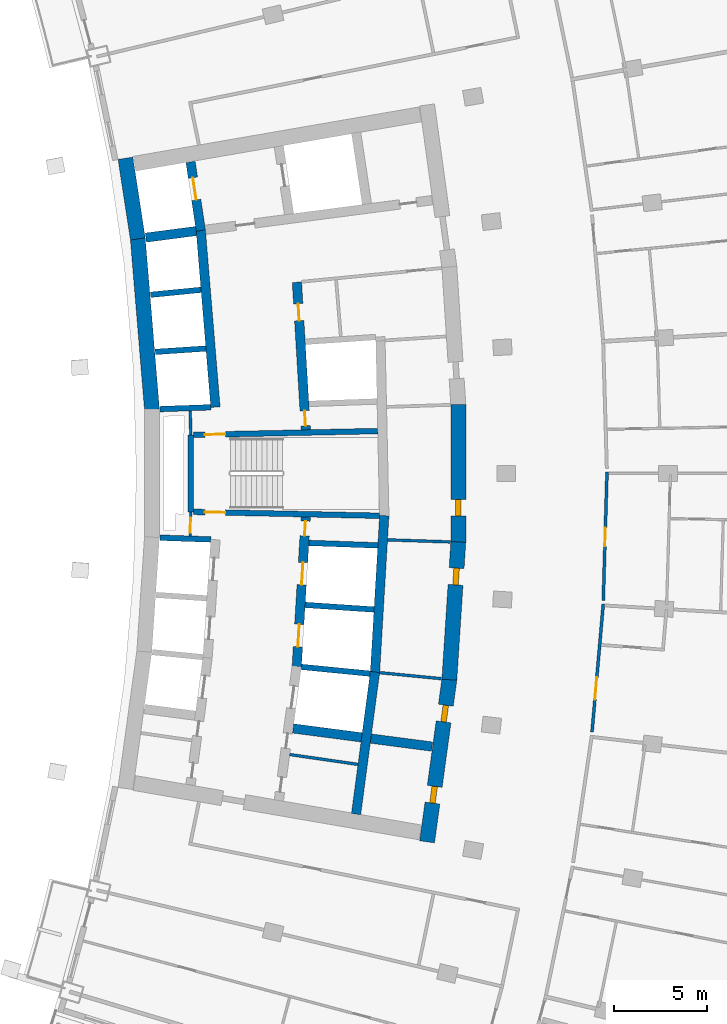
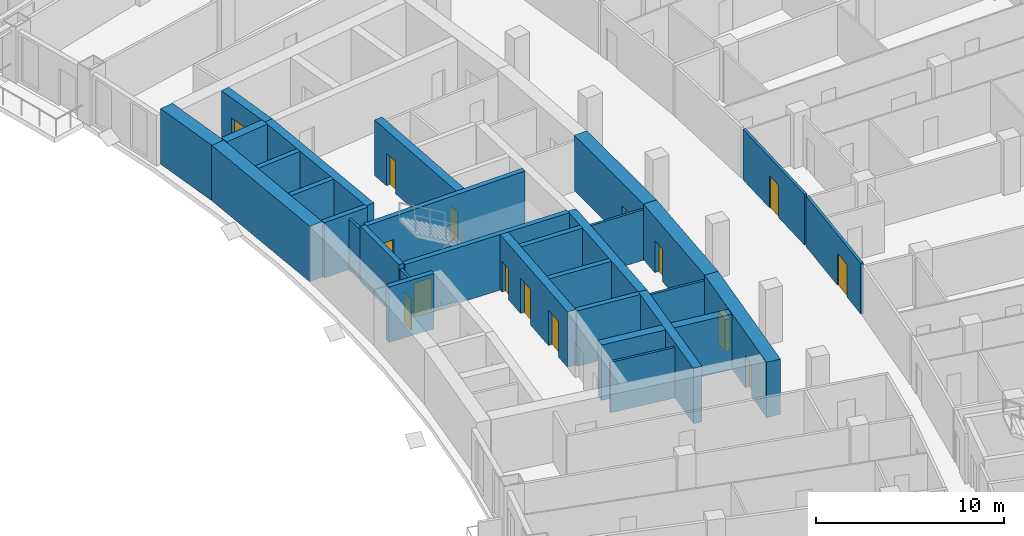
# One storey, part 16 of 25: 31 walls, 15 doors, 15 openings.
"""IFC4 building model written with IfcOpenShell, lengths in metres."""

from ifc_helpers import new_model, si_unit, direction, frame, frame_2d, origin, place, context, subcontext, project, spatial, rectangle, extrude, material, layer, layer_set, type_object, element, fill, save


model = new_model("IFC4")

# Units and contexts
model_context = context("Model", 3, precision=1e-05, world=origin(), true_north=direction((0.0, 1.0)))
body_context = subcontext(model_context, "Body", "Model", "MODEL_VIEW")
ifc_project = project(units=[si_unit("LENGTHUNIT", "METRE"), si_unit("AREAUNIT", "SQUARE_METRE"), si_unit("VOLUMEUNIT", "CUBIC_METRE"), si_unit("PLANEANGLEUNIT", "RADIAN"), si_unit("MASSUNIT", "GRAM", prefix="KILO")], contexts=[model_context])

# Site, building, storey
site_placement = place(None, origin())
site = spatial("IfcSite", under=ifc_project, at=site_placement, CompositionType="ELEMENT")
building_placement = place(site_placement, origin())
building = spatial("IfcBuilding", under=site, at=building_placement, Name="Alderwake Tower", CompositionType="ELEMENT")
storey_placement = place(building_placement, frame((0.0, 0.0, 89.60009765625)))
storey = spatial("IfcBuildingStorey", under=building, at=storey_placement, Name="L21", CompositionType="ELEMENT", Elevation=89.60009765625)

# Wall, opening, door
ifc_material_1 = material(Name="Gypsum shaft wall system, rated")
ifc_layer_1 = layer(ifc_material_1, 0.14990234375)
ifc_layer_set_1 = layer_set([ifc_layer_1], Name="Core room partition 150")
wall_type_1 = type_object("IfcWallType", Name="Core room partition 150", PredefinedType="PARTITIONING", material=ifc_layer_set_1)
wall_1_placement = place(storey_placement, frame((18.918701171875, 58.94384765625, 0.0), z_axis=(0.0, 0.0, 1.0), x_axis=(-0.027348257573, -0.999625966453, 0.0)))
wall_1 = element("IfcWall", 1, at=wall_1_placement, inside=storey, type_object=wall_type_1, Name="CW/L21/PA+24_-37", PredefinedType="PARTITIONING", context=body_context, shape_type="SweptSolid", body=[
    extrude(rectangle(XDim=1.29443359375, YDim=0.14990234375, at=frame_2d((0.647216796875, 0.0))), origin(), (0.0, 0.0, 1.0), 3.27978515625),
])
opening_1_placement = place(wall_1_placement, frame((0.322998046875, 0.0, 0.0)))
opening_1 = element("IfcOpeningElement", 2, at=opening_1_placement, cuts=wall_1, Name="Opening C004", PredefinedType="OPENING", context=body_context, shape_type="SweptSolid", body=[
    extrude(rectangle(XDim=0.800048828125, YDim=2.0, at=frame_2d((0.39990234375, 1.0))), frame((0.0, 0.0849609375, 0.0), z_axis=(0.0, -1.0, 0.0), x_axis=(1.0, 0.0, 0.0)), (0.0, 0.0, 1.0), 0.169921875),
])
ifc_material_2 = material(Name="Painted steel leaf, rated", Category="steel")
door_type_1 = type_object("IfcDoorType", Name="Riser access door 800", OperationType="SINGLE_SWING_LEFT", PredefinedType="DOOR", material=ifc_material_2)
door_1_placement = place(opening_1_placement, origin())
door_1 = element("IfcDoor", 3, at=door_1_placement, inside=storey, type_object=door_type_1, Name="Riser access door", OperationType="SINGLE_SWING_RIGHT", OverallHeight=2.0, OverallWidth=0.800048828125, PredefinedType="DOOR", context=body_context, shape_type="SweptSolid", body=[
    extrude(rectangle(XDim=0.800048828125, YDim=2.0, at=frame_2d((0.39990234375, 1.0))), frame((0.0, 0.02490234375, 0.0), z_axis=(0.0, -1.0, 0.0), x_axis=(1.0, 0.0, 0.0)), (0.0, 0.0, 1.0), 0.050048828125),
])
fill(opening_1, door_1)

# Walls
wall_2_placement = place(storey_placement, frame((18.918701171875, 63.05517578125, 0.0), z_axis=(0.0, 0.0, 1.0), x_axis=(-0.027327648352, 0.999626530078, 0.0)))
element("IfcWall", 4, at=wall_2_placement, inside=storey, type_object=wall_type_1, Name="CW/L21/PA+24_+22", PredefinedType="PARTITIONING", context=body_context, shape_type="SweptSolid", body=[
    extrude(rectangle(XDim=1.29541015625, YDim=0.14990234375, at=frame_2d((0.647705078125, 0.0))), origin(), (0.0, 0.0, 1.0), 3.27978515625),
])
wall_3_placement = place(storey_placement, frame((24.212158203125, 45.9482421875, 0.0), z_axis=(0.0, 0.0, 1.0), x_axis=(0.989728979978, -0.142956448583, 0.0)))
element("IfcWall", 5, at=wall_3_placement, inside=storey, type_object=wall_type_1, Name="CW/L21/PR-150_+86", PredefinedType="PARTITIONING", context=body_context, shape_type="SweptSolid", body=[
    extrude(rectangle(XDim=3.695556640625, YDim=0.14990234375, at=frame_2d((1.84765625, 0.0))), origin(), (0.0, 0.0, 1.0), 3.27978515625),
])
wall_4_placement = place(storey_placement, frame((29.029296875, 50.331298828125, 0.0), z_axis=(0.0, 0.0, 1.0), x_axis=(0.995248248589, -0.097370034814, 0.0)))
element("IfcWall", 6, at=wall_4_placement, inside=storey, type_object=wall_type_1, Name="CW/L21/PR-102_+128", PredefinedType="PARTITIONING", context=body_context, shape_type="SweptSolid", body=[
    extrude(rectangle(XDim=3.31982421875, YDim=0.14990234375, at=frame_2d((1.659912109375, 0.0))), origin(), (0.0, 0.0, 1.0), 3.27978515625),
])
wall_5_placement = place(storey_placement, frame((29.45068359375, 57.440185546875, 0.0), z_axis=(0.0, 0.0, 1.0), x_axis=(0.999470404779, -0.0325408969, 0.0)))
element("IfcWall", 7, at=wall_5_placement, inside=storey, type_object=wall_type_1, Name="CW/L21/PR-34_+128", PredefinedType="PARTITIONING", context=body_context, shape_type="SweptSolid", body=[
    extrude(rectangle(XDim=3.361083984375, YDim=0.14990234375, at=frame_2d((1.6806640625, 0.0))), origin(), (0.0, 0.0, 1.0), 3.27978515625),
])
ifc_material_3 = material(Name="Concrete C70/85", Category="concrete")
ifc_layer_2 = layer(ifc_material_3, 0.800048828125)
ifc_layer_set_2 = layer_set([ifc_layer_2], Name="Core wall outer 800 C70-85")
wall_type_2 = type_object("IfcWallType", Name="Core wall outer 800 C70-85", PredefinedType="SHEAR", material=ifc_layer_set_2)
wall_6_placement = place(storey_placement, frame((16.8408203125, 64.410888671875, 0.0), z_axis=(0.0, 0.0, 1.0), x_axis=(-0.082619502339, 0.996581164699, 0.0)))
element("IfcWall", 8, at=wall_6_placement, inside=storey, type_object=wall_type_2, Name="Core wall CW.040", PredefinedType="SHEAR", context=body_context, shape_type="SweptSolid", body=[
    extrude(rectangle(XDim=9.201904296875, YDim=0.800048828125, at=frame_2d((4.60107421875, 0.0))), origin(), (0.0, 0.0, 1.0), 3.599853515625),
])
wall_7_placement = place(storey_placement, frame((16.083984375, 73.552490234375, 0.0), z_axis=(0.0, 0.0, 1.0), x_axis=(-0.151981606421, 0.988383322052, 0.0)))
element("IfcWall", 9, at=wall_7_placement, inside=storey, type_object=wall_type_2, Name="Core wall CW.039", PredefinedType="SHEAR", context=body_context, shape_type="SweptSolid", body=[
    extrude(rectangle(XDim=4.369384765625, YDim=0.800048828125, at=frame_2d((2.1845703125, 0.0))), origin(), (0.0, 0.0, 1.0), 3.599853515625),
])

# Wall, openings, doors
wall_8_placement = place(storey_placement, frame((32.763427734375, 49.980712890625, 0.0), z_axis=(0.0, 0.0, 1.0), x_axis=(-0.135838347444, -0.990731014637, 0.0)))
wall_8 = element("IfcWall", 10, at=wall_8_placement, inside=storey, type_object=wall_type_2, Name="Core wall CW.012", PredefinedType="SHEAR", context=body_context, shape_type="SweptSolid", body=[
    extrude(rectangle(XDim=8.788818359375, YDim=0.800048828125, at=frame_2d((4.39453125, 0.0))), origin(), (0.0, 0.0, 1.0), 3.599853515625),
])
opening_2_placement = place(wall_8_placement, frame((1.40576171875, 0.0, 0.0)))
opening_2 = element("IfcOpeningElement", 11, at=opening_2_placement, cuts=wall_8, Name="Opening C050", PredefinedType="OPENING", context=body_context, shape_type="SweptSolid", body=[
    extrude(rectangle(XDim=0.89990234375, YDim=2.10009765625, at=frame_2d((0.449951171875, 1.050048828125))), frame((0.0, 0.409912109375, 0.0), z_axis=(0.0, -1.0, 0.0), x_axis=(1.0, 0.0, 0.0)), (0.0, 0.0, 1.0), 0.820068359375),
])
opening_3_placement = place(wall_8_placement, frame((5.79345703125, 0.0, 0.0)))
opening_3 = element("IfcOpeningElement", 12, at=opening_3_placement, cuts=wall_8, Name="Opening C061", PredefinedType="OPENING", context=body_context, shape_type="SweptSolid", body=[
    extrude(rectangle(XDim=0.89990234375, YDim=2.10009765625, at=frame_2d((0.449951171875, 1.050048828125))), frame((0.0, 0.409912109375, 0.0), z_axis=(0.0, -1.0, 0.0), x_axis=(1.0, 0.0, 0.0)), (0.0, 0.0, 1.0), 0.820068359375),
])
ifc_material_4 = material(Name="Painted steel leaf", Category="steel")
door_type_2 = type_object("IfcDoorType", Name="Core room door 900", OperationType="SINGLE_SWING_LEFT", PredefinedType="DOOR", material=ifc_material_4)
door_2_placement = place(opening_2_placement, origin())
door_2 = element("IfcDoor", 13, at=door_2_placement, inside=storey, type_object=door_type_2, Name="Room door", OperationType="SINGLE_SWING_LEFT", OverallHeight=2.10009765625, OverallWidth=0.89990234375, PredefinedType="DOOR", context=body_context, shape_type="SweptSolid", body=[
    extrude(rectangle(XDim=0.89990234375, YDim=2.10009765625, at=frame_2d((0.449951171875, 1.050048828125))), frame((0.0, 0.14990234375, 0.0), z_axis=(0.0, -1.0, 0.0), x_axis=(1.0, 0.0, 0.0)), (0.0, 0.0, 1.0), 0.300048828125),
])
fill(opening_2, door_2)
door_3_placement = place(opening_3_placement, origin())
door_3 = element("IfcDoor", 14, at=door_3_placement, inside=storey, type_object=door_type_2, Name="Room door", OperationType="SINGLE_SWING_RIGHT", OverallHeight=2.10009765625, OverallWidth=0.89990234375, PredefinedType="DOOR", context=body_context, shape_type="SweptSolid", body=[
    extrude(rectangle(XDim=0.89990234375, YDim=2.10009765625, at=frame_2d((0.449951171875, 1.050048828125))), frame((0.0, 0.14990234375, 0.0), z_axis=(0.0, -1.0, 0.0), x_axis=(1.0, 0.0, 0.0)), (0.0, 0.0, 1.0), 0.300048828125),
])
fill(opening_3, door_3)

# Wall, opening, door
wall_9_placement = place(storey_placement, frame((33.240966796875, 57.330322265625, 0.0), z_axis=(0.0, 0.0, 1.0), x_axis=(-0.064976219143, -0.997886812693, 0.0)))
wall_9 = element("IfcWall", 15, at=wall_9_placement, inside=storey, type_object=wall_type_2, Name="Core wall CW.011", PredefinedType="SHEAR", context=body_context, shape_type="SweptSolid", body=[
    extrude(rectangle(XDim=7.39453125, YDim=0.800048828125, at=frame_2d((3.697265625, 0.0))), origin(), (0.0, 0.0, 1.0), 3.599853515625),
])
opening_4_placement = place(wall_9_placement, frame((1.40478515625, 0.0, 0.0)))
opening_4 = element("IfcOpeningElement", 16, at=opening_4_placement, cuts=wall_9, Name="Opening C026", PredefinedType="OPENING", context=body_context, shape_type="SweptSolid", body=[
    extrude(rectangle(XDim=0.89990234375, YDim=2.10009765625, at=frame_2d((0.449951171875, 1.050048828125))), frame((0.0, 0.409912109375, 0.0), z_axis=(0.0, -1.0, 0.0), x_axis=(1.0, 0.0, 0.0)), (0.0, 0.0, 1.0), 0.820068359375),
])
door_4_placement = place(opening_4_placement, origin())
door_4 = element("IfcDoor", 17, at=door_4_placement, inside=storey, type_object=door_type_2, Name="Room door", OperationType="SINGLE_SWING_RIGHT", OverallHeight=2.10009765625, OverallWidth=0.89990234375, PredefinedType="DOOR", context=body_context, shape_type="SweptSolid", body=[
    extrude(rectangle(XDim=0.89990234375, YDim=2.10009765625, at=frame_2d((0.449951171875, 1.050048828125))), frame((0.0, 0.14990234375, 0.0), z_axis=(0.0, -1.0, 0.0), x_axis=(1.0, 0.0, 0.0)), (0.0, 0.0, 1.0), 0.300048828125),
])
fill(opening_4, door_4)

wall_10_placement = place(storey_placement, frame((33.239990234375, 64.69677734375, 0.0), z_axis=(0.0, 0.0, 1.0), x_axis=(0.0, -1.0, 0.0)))
wall_10 = element("IfcWall", 18, at=wall_10_placement, inside=storey, type_object=wall_type_2, Name="Core wall CW.013", PredefinedType="SHEAR", context=body_context, shape_type="SweptSolid", body=[
    extrude(rectangle(XDim=7.3935546875, YDim=0.800048828125, at=frame_2d((3.69677734375, 0.0))), origin(), (0.0, 0.0, 1.0), 3.599853515625),
])
opening_5_placement = place(wall_10_placement, frame((5.08837890625, 0.0, 0.0)))
opening_5 = element("IfcOpeningElement", 19, at=opening_5_placement, cuts=wall_10, Name="Opening C030", PredefinedType="OPENING", context=body_context, shape_type="SweptSolid", body=[
    extrude(rectangle(XDim=0.89990234375, YDim=2.10009765625, at=frame_2d((0.449951171875, 1.050048828125))), frame((0.0, 0.409912109375, 0.0), z_axis=(0.0, -1.0, 0.0), x_axis=(1.0, 0.0, 0.0)), (0.0, 0.0, 1.0), 0.820068359375),
])
door_5_placement = place(opening_5_placement, origin())
door_5 = element("IfcDoor", 20, at=door_5_placement, inside=storey, type_object=door_type_2, Name="Room door", OperationType="SINGLE_SWING_LEFT", OverallHeight=2.10009765625, OverallWidth=0.89990234375, PredefinedType="DOOR", context=body_context, shape_type="SweptSolid", body=[
    extrude(rectangle(XDim=0.89990234375, YDim=2.10009765625, at=frame_2d((0.449951171875, 1.050048828125))), frame((0.0, 0.14990234375, 0.0), z_axis=(0.0, -1.0, 0.0), x_axis=(1.0, 0.0, 0.0)), (0.0, 0.0, 1.0), 0.300048828125),
])
fill(opening_5, door_5)

# Walls
ifc_material_5 = material(Name="Concrete C70/85", Category="concrete")
ifc_layer_3 = layer(ifc_material_5, 0.300048828125)
ifc_layer_set_3 = layer_set([ifc_layer_3], Name="Core wall shaft 300 C70-85")
wall_type_3 = type_object("IfcWallType", Name="Core wall shaft 300 C70-85", PredefinedType="SHEAR", material=ifc_layer_set_3)
wall_11_placement = place(storey_placement, frame((24.839599609375, 50.64013671875, 0.0), z_axis=(0.0, 0.0, 1.0), x_axis=(0.995150987401, -0.098359098589, 0.0)))
element("IfcWall", 21, at=wall_11_placement, inside=storey, type_object=wall_type_3, Name="Core wall CW.066", PredefinedType="SHEAR", context=body_context, shape_type="SweptSolid", body=[
    extrude(rectangle(XDim=3.69580078125, YDim=0.300048828125, at=frame_2d((1.847900390625, 0.0))), origin(), (0.0, 0.0, 1.0), 3.599853515625),
])
wall_12_placement = place(storey_placement, frame((25.0400390625, 53.9580078125, 0.0), z_axis=(0.0, 0.0, 1.0), x_axis=(0.997759957359, -0.066895945251, 0.0)))
element("IfcWall", 22, at=wall_12_placement, inside=storey, type_object=wall_type_3, Name="Core wall CW.080", PredefinedType="SHEAR", context=body_context, shape_type="SweptSolid", body=[
    extrude(rectangle(XDim=3.697021484375, YDim=0.300048828125, at=frame_2d((1.8486328125, 0.0))), origin(), (0.0, 0.0, 1.0), 3.599853515625),
])
wall_13_placement = place(storey_placement, frame((17.269287109375, 57.556884765625, 0.0), z_axis=(0.0, 0.0, 1.0), x_axis=(0.999374351644, -0.035368139275, 0.0)))
element("IfcWall", 23, at=wall_13_placement, inside=storey, type_object=wall_type_3, Name="Core wall CW.076", PredefinedType="SHEAR", context=body_context, shape_type="SweptSolid", body=[
    extrude(rectangle(XDim=2.7197265625, YDim=0.300048828125, at=frame_2d((1.35986328125, 0.0))), origin(), (0.0, 0.0, 1.0), 3.599853515625),
])
wall_14_placement = place(storey_placement, frame((25.240478515625, 57.27490234375, 0.0), z_axis=(0.0, 0.0, 1.0), x_axis=(0.999372332678, -0.035425141877, 0.0)))
element("IfcWall", 24, at=wall_14_placement, inside=storey, type_object=wall_type_3, Name="Core wall CW.077", PredefinedType="SHEAR", context=body_context, shape_type="SweptSolid", body=[
    extrude(rectangle(XDim=3.69384765625, YDim=0.300048828125, at=frame_2d((1.846923828125, 0.0))), origin(), (0.0, 0.0, 1.0), 3.599853515625),
])
wall_15_placement = place(storey_placement, frame((17.269287109375, 64.443115234375, 0.0), z_axis=(0.0, 0.0, 1.0), x_axis=(0.999374239339, 0.03537131246, 0.0)))
element("IfcWall", 25, at=wall_15_placement, inside=storey, type_object=wall_type_3, Name="Core wall CW.059", PredefinedType="SHEAR", context=body_context, shape_type="SweptSolid", body=[
    extrude(rectangle(XDim=2.719482421875, YDim=0.300048828125, at=frame_2d((1.35986328125, 0.0))), origin(), (0.0, 0.0, 1.0), 3.599853515625),
])
for number, where, z_axis, x_axis, name in (
    (26, (17.015869140625, 67.50390625, 0.0), (0.0, 0.0, 1.0), (0.997756033475, 0.066954444689, 0.0), "Core wall CW.062"),
    (27, (16.76220703125, 70.561767578125, 0.0), (0.0, 0.0, 1.0), (0.995154832978, 0.098320183083, 0.0), "Core wall CW.050"),
):
    element("IfcWall", number, at=place(storey_placement, frame(where, z_axis=z_axis, x_axis=x_axis)), inside=storey, type_object=wall_type_3, Name=name, PredefinedType="SHEAR", context=body_context, shape_type="SweptSolid", body=[
        extrude(rectangle(XDim=2.716552734375, YDim=0.300048828125, at=frame_2d((1.3583984375, 0.0))), origin(), (0.0, 0.0, 1.0), 3.599853515625),
    ])
ifc_material_6 = material(Name="Concrete C70/85", Category="concrete")
ifc_layer_4 = layer(ifc_material_6, 0.5)
ifc_layer_set_4 = layer_set([ifc_layer_4], Name="Core wall spine 500 C70-85")
wall_type_4 = type_object("IfcWallType", Name="Core wall spine 500 C70-85", PredefinedType="SHEAR", material=ifc_layer_set_4)
wall_16_placement = place(storey_placement, frame((20.2373046875, 64.548095703125, 0.0), z_axis=(0.0, 0.0, 1.0), x_axis=(-0.082641410547, 0.996579348202, 0.0)))
element("IfcWall", 28, at=wall_16_placement, inside=storey, type_object=wall_type_4, Name="Core wall CW.031", PredefinedType="SHEAR", context=body_context, shape_type="SweptSolid", body=[
    extrude(rectangle(XDim=9.500732421875, YDim=0.5, at=frame_2d((4.75048828125, 0.0))), origin(), (0.0, 0.0, 1.0), 3.599853515625),
])

# Wall, opening, door
wall_17_placement = place(storey_placement, frame((19.4541015625, 73.9990234375, 0.0), z_axis=(0.0, 0.0, 1.0), x_axis=(-0.14792928808, 0.988997940204, 0.0)))
wall_17 = element("IfcWall", 29, at=wall_17_placement, inside=storey, type_object=wall_type_4, Name="Core wall CW.030", PredefinedType="SHEAR", context=body_context, shape_type="SweptSolid", body=[
    extrude(rectangle(XDim=3.716552734375, YDim=0.5, at=frame_2d((1.8583984375, 0.0))), origin(), (0.0, 0.0, 1.0), 3.599853515625),
])
opening_6_placement = place(wall_17_placement, frame((1.66259765625, 0.0, 0.0)))
opening_6 = element("IfcOpeningElement", 30, at=opening_6_placement, cuts=wall_17, Name="Opening LD-FF1", PredefinedType="OPENING", context=body_context, shape_type="SweptSolid", body=[
    extrude(rectangle(XDim=1.199951171875, YDim=2.300048828125, at=frame_2d((0.60009765625, 1.14990234375))), frame((0.0, 0.260009765625, 0.0), z_axis=(0.0, -1.0, 0.0), x_axis=(1.0, 0.0, 0.0)), (0.0, 0.0, 1.0), 0.52001953125),
])
ifc_material_7 = material(Name="Stainless steel sliding leaf", Category="steel")
door_type_3 = type_object("IfcDoorType", Name="Lift landing door 1200", OperationType="SLIDING_TO_LEFT", PredefinedType="DOOR", material=ifc_material_7)
door_6_placement = place(opening_6_placement, origin())
door_6 = element("IfcDoor", 31, at=door_6_placement, inside=storey, type_object=door_type_3, Name="Lift landing door FF1", OperationType="SLIDING_TO_LEFT", OverallHeight=2.300048828125, OverallWidth=1.199951171875, PredefinedType="DOOR", context=body_context, shape_type="SweptSolid", body=[
    extrude(rectangle(XDim=1.199951171875, YDim=2.300048828125, at=frame_2d((0.60009765625, 1.14990234375))), frame((0.0, 0.02490234375, 0.0), z_axis=(0.0, -1.0, 0.0), x_axis=(1.0, 0.0, 0.0)), (0.0, 0.0, 1.0), 0.050048828125),
])
fill(opening_6, door_6)

# Wall, openings, doors
wall_18_placement = place(storey_placement, frame((24.590087890625, 50.655029296875, 0.0), z_axis=(0.0, 0.0, 1.0), x_axis=(0.060305817737, 0.998179947879, 0.0)))
wall_18 = element("IfcWall", 32, at=wall_18_placement, inside=storey, type_object=wall_type_4, Name="Core wall CW.046", PredefinedType="SHEAR", context=body_context, shape_type="SweptSolid", body=[
    extrude(rectangle(XDim=8.02392578125, YDim=0.5, at=frame_2d((4.011962890625, 0.0))), origin(), (0.0, 0.0, 1.0), 3.599853515625),
])
opening_7_placement = place(wall_18_placement, frame((1.067138671875, 0.0, 0.0)))
opening_7 = element("IfcOpeningElement", 33, at=opening_7_placement, cuts=wall_18, Name="Opening LD-LP5", PredefinedType="OPENING", context=body_context, shape_type="SweptSolid", body=[
    extrude(rectangle(XDim=1.199951171875, YDim=2.300048828125, at=frame_2d((0.60009765625, 1.14990234375))), frame((0.0, 0.260009765625, 0.0), z_axis=(0.0, -1.0, 0.0), x_axis=(1.0, 0.0, 0.0)), (0.0, 0.0, 1.0), 0.52001953125),
])
opening_8_placement = place(wall_18_placement, frame((4.383544921875, 0.0, 0.0)))
opening_8 = element("IfcOpeningElement", 34, at=opening_8_placement, cuts=wall_18, Name="Opening LD-LP6", PredefinedType="OPENING", context=body_context, shape_type="SweptSolid", body=[
    extrude(rectangle(XDim=1.199951171875, YDim=2.300048828125, at=frame_2d((0.60009765625, 1.14990234375))), frame((0.0, 0.260009765625, 0.0), z_axis=(0.0, -1.0, 0.0), x_axis=(1.0, 0.0, 0.0)), (0.0, 0.0, 1.0), 0.52001953125),
])
opening_9_placement = place(wall_18_placement, frame((7.0078125, 0.0, 0.0)))
opening_9 = element("IfcOpeningElement", 35, at=opening_9_placement, cuts=wall_18, Name="Opening C006", PredefinedType="OPENING", context=body_context, shape_type="SweptSolid", body=[
    extrude(rectangle(XDim=0.800048828125, YDim=2.0, at=frame_2d((0.39990234375, 1.0))), frame((0.0, 0.260009765625, 0.0), z_axis=(0.0, -1.0, 0.0), x_axis=(1.0, 0.0, 0.0)), (0.0, 0.0, 1.0), 0.52001953125),
])
door_7_placement = place(opening_7_placement, origin())
door_7 = element("IfcDoor", 36, at=door_7_placement, inside=storey, type_object=door_type_3, Name="Lift landing door LP5", OperationType="SLIDING_TO_LEFT", OverallHeight=2.300048828125, OverallWidth=1.199951171875, PredefinedType="DOOR", context=body_context, shape_type="SweptSolid", body=[
    extrude(rectangle(XDim=1.199951171875, YDim=2.300048828125, at=frame_2d((0.60009765625, 1.14990234375))), frame((0.0, 0.02490234375, 0.0), z_axis=(0.0, -1.0, 0.0), x_axis=(1.0, 0.0, 0.0)), (0.0, 0.0, 1.0), 0.050048828125),
])
fill(opening_7, door_7)
door_8_placement = place(opening_8_placement, origin())
door_8 = element("IfcDoor", 37, at=door_8_placement, inside=storey, type_object=door_type_3, Name="Lift landing door LP6", OperationType="SLIDING_TO_LEFT", OverallHeight=2.300048828125, OverallWidth=1.199951171875, PredefinedType="DOOR", context=body_context, shape_type="SweptSolid", body=[
    extrude(rectangle(XDim=1.199951171875, YDim=2.300048828125, at=frame_2d((0.60009765625, 1.14990234375))), frame((0.0, 0.02490234375, 0.0), z_axis=(0.0, -1.0, 0.0), x_axis=(1.0, 0.0, 0.0)), (0.0, 0.0, 1.0), 0.050048828125),
])
fill(opening_8, door_8)
door_9_placement = place(opening_9_placement, origin())
door_9 = element("IfcDoor", 38, at=door_9_placement, inside=storey, type_object=door_type_1, Name="Riser access door", OperationType="SINGLE_SWING_RIGHT", OverallHeight=2.0, OverallWidth=0.800048828125, PredefinedType="DOOR", context=body_context, shape_type="SweptSolid", body=[
    extrude(rectangle(XDim=0.800048828125, YDim=2.0, at=frame_2d((0.39990234375, 1.0))), frame((0.0, 0.02490234375, 0.0), z_axis=(0.0, -1.0, 0.0), x_axis=(1.0, 0.0, 0.0)), (0.0, 0.0, 1.0), 0.050048828125),
])
fill(opening_9, door_9)

wall_19_placement = place(storey_placement, frame((25.073974609375, 63.335693359375, 0.0), z_axis=(0.0, 0.0, 1.0), x_axis=(-0.059848641072, 0.998207463487, 0.0)))
wall_19 = element("IfcWall", 39, at=wall_19_placement, inside=storey, type_object=wall_type_4, Name="Core wall CW.045", PredefinedType="SHEAR", context=body_context, shape_type="SweptSolid", body=[
    extrude(rectangle(XDim=7.913818359375, YDim=0.5, at=frame_2d((3.95703125, 0.0))), origin(), (0.0, 0.0, 1.0), 3.599853515625),
])
opening_10_placement = place(wall_19_placement, frame((0.216064453125, 0.0, 0.0)))
opening_10 = element("IfcOpeningElement", 40, at=opening_10_placement, cuts=wall_19, Name="Opening C005", PredefinedType="OPENING", context=body_context, shape_type="SweptSolid", body=[
    extrude(rectangle(XDim=0.800048828125, YDim=2.0, at=frame_2d((0.39990234375, 1.0))), frame((0.0, 0.260009765625, 0.0), z_axis=(0.0, -1.0, 0.0), x_axis=(1.0, 0.0, 0.0)), (0.0, 0.0, 1.0), 0.52001953125),
])
opening_11_placement = place(wall_19_placement, frame((5.856201171875, 0.0, 0.0)))
opening_11 = element("IfcOpeningElement", 41, at=opening_11_placement, cuts=wall_19, Name="Opening C024", PredefinedType="OPENING", context=body_context, shape_type="SweptSolid", body=[
    extrude(rectangle(XDim=0.89990234375, YDim=2.10009765625, at=frame_2d((0.449951171875, 1.050048828125))), frame((0.0, 0.260009765625, 0.0), z_axis=(0.0, -1.0, 0.0), x_axis=(1.0, 0.0, 0.0)), (0.0, 0.0, 1.0), 0.52001953125),
])
door_10_placement = place(opening_11_placement, origin())
door_10 = element("IfcDoor", 42, at=door_10_placement, inside=storey, type_object=door_type_2, Name="Room door", OperationType="SINGLE_SWING_LEFT", OverallHeight=2.10009765625, OverallWidth=0.89990234375, PredefinedType="DOOR", context=body_context, shape_type="SweptSolid", body=[
    extrude(rectangle(XDim=0.89990234375, YDim=2.10009765625, at=frame_2d((0.449951171875, 1.050048828125))), frame((0.0, 0.02490234375, 0.0), z_axis=(0.0, -1.0, 0.0), x_axis=(1.0, 0.0, 0.0)), (0.0, 0.0, 1.0), 0.050048828125),
])
fill(opening_11, door_10)
door_11_placement = place(opening_10_placement, origin())
door_11 = element("IfcDoor", 43, at=door_11_placement, inside=storey, type_object=door_type_1, Name="Riser access door", OperationType="SINGLE_SWING_LEFT", OverallHeight=2.0, OverallWidth=0.800048828125, PredefinedType="DOOR", context=body_context, shape_type="SweptSolid", body=[
    extrude(rectangle(XDim=0.800048828125, YDim=2.0, at=frame_2d((0.39990234375, 1.0))), frame((0.0, 0.02490234375, 0.0), z_axis=(0.0, -1.0, 0.0), x_axis=(1.0, 0.0, 0.0)), (0.0, 0.0, 1.0), 0.050048828125),
])
fill(opening_10, door_11)

# Walls
wall_20_placement = place(storey_placement, frame((27.76708984375, 42.75830078125, 0.0), z_axis=(0.0, 0.0, 1.0), x_axis=(0.132213731211, 0.991221231249, 0.0)))
element("IfcWall", 44, at=wall_20_placement, inside=storey, type_object=wall_type_4, Name="Core wall CW.006", PredefinedType="SHEAR", context=body_context, shape_type="SweptSolid", body=[
    extrude(rectangle(XDim=7.67431640625, YDim=0.5, at=frame_2d((3.837158203125, 0.0))), origin(), (0.0, 0.0, 1.0), 3.599853515625),
])
wall_21_placement = place(storey_placement, frame((28.77978515625, 50.345947265625, 0.0), z_axis=(0.0, 0.0, 1.0), x_axis=(0.059159556477, 0.998248539632, 0.0)))
element("IfcWall", 45, at=wall_21_placement, inside=storey, type_object=wall_type_4, Name="Core wall CW.004", PredefinedType="SHEAR", context=body_context, shape_type="SweptSolid", body=[
    extrude(rectangle(XDim=8.40625, YDim=0.5, at=frame_2d((4.203125, 0.0))), origin(), (0.0, 0.0, 1.0), 3.599853515625),
])
wall_22_placement = place(storey_placement, frame((24.39892578125, 47.345458984375, 0.0), z_axis=(0.0, 0.0, 1.0), x_axis=(0.991553185565, -0.129700733209, 0.0)))
element("IfcWall", 46, at=wall_22_placement, inside=storey, type_object=wall_type_4, Name="Core wall CW.069", PredefinedType="SHEAR", context=body_context, shape_type="SweptSolid", body=[
    extrude(rectangle(XDim=3.695068359375, YDim=0.5, at=frame_2d((1.84765625, 0.0))), origin(), (0.0, 0.0, 1.0), 3.599853515625),
])
wall_23_placement = place(storey_placement, frame((28.55859375, 46.80126953125, 0.0), z_axis=(0.0, 0.0, 1.0), x_axis=(0.991555852521, -0.129680342885, 0.0)))
element("IfcWall", 47, at=wall_23_placement, inside=storey, type_object=wall_type_4, Name="Core wall CW.068", PredefinedType="SHEAR", context=body_context, shape_type="SweptSolid", body=[
    extrude(rectangle(XDim=3.303955078125, YDim=0.5, at=frame_2d((1.65185546875, 0.0))), origin(), (0.0, 0.0, 1.0), 3.599853515625),
])
wall_24_placement = place(storey_placement, frame((16.508544921875, 73.62255859375, 0.0), z_axis=(0.0, 0.0, 1.0), x_axis=(0.991548766325, 0.129734513522, 0.0)))
element("IfcWall", 48, at=wall_24_placement, inside=storey, type_object=wall_type_4, Name="Core wall CW.051", PredefinedType="SHEAR", context=body_context, shape_type="SweptSolid", body=[
    extrude(rectangle(XDim=2.71923828125, YDim=0.5, at=frame_2d((1.359619140625, 0.0))), origin(), (0.0, 0.0, 1.0), 3.599853515625),
])
ifc_material_8 = material(Name="Concrete C70/85", Category="concrete")
ifc_layer_5 = layer(ifc_material_8, 0.300048828125)
ifc_layer_set_5 = layer_set([ifc_layer_5], Name="Core wall stair enclosure 300 C70-85")
wall_type_5 = type_object("IfcWallType", Name="Core wall stair enclosure 300 C70-85", PredefinedType="SHEAR", material=ifc_layer_set_5)
wall_25_placement = place(storey_placement, frame((18.918701171875, 58.94091796875, 0.0), z_axis=(0.0, 0.0, 1.0), x_axis=(0.0, 1.0, 0.0)))
element("IfcWall", 49, at=wall_25_placement, inside=storey, type_object=wall_type_5, Name="Core wall CW.024", PredefinedType="SHEAR", context=body_context, shape_type="SweptSolid", body=[
    extrude(rectangle(XDim=4.119384765625, YDim=0.300048828125, at=frame_2d((2.0595703125, 0.0))), origin(), (0.0, 0.0, 1.0), 3.599853515625),
])

# Wall, opening, door
wall_26_placement = place(storey_placement, frame((29.026123046875, 58.73193359375, 0.0), z_axis=(0.0, 0.0, 1.0), x_axis=(-0.999783418156, 0.020811457903, 0.0)))
wall_26 = element("IfcWall", 50, at=wall_26_placement, inside=storey, type_object=wall_type_5, Name="Core wall CW.074", PredefinedType="SHEAR", context=body_context, shape_type="SweptSolid", body=[
    extrude(rectangle(XDim=9.959716796875, YDim=0.300048828125, at=frame_2d((4.97998046875, 0.0))), origin(), (0.0, 0.0, 1.0), 3.599853515625),
])
opening_12_placement = place(wall_26_placement, frame((8.259765625, 0.0, 0.0)))
opening_12 = element("IfcOpeningElement", 51, at=opening_12_placement, cuts=wall_26, Name="Opening C063", PredefinedType="OPENING", context=body_context, shape_type="SweptSolid", body=[
    extrude(rectangle(XDim=1.10009765625, YDim=2.10009765625, at=frame_2d((0.550048828125, 1.050048828125))), frame((0.0, 0.159912109375, 0.0), z_axis=(0.0, -1.0, 0.0), x_axis=(1.0, 0.0, 0.0)), (0.0, 0.0, 1.0), 0.320068359375),
])
ifc_material_9 = material(Name="Steel-framed fire door leaf", Category="steel")
door_type_4 = type_object("IfcDoorType", Name="Core stair door 1100 fire-rated", OperationType="SINGLE_SWING_LEFT", PredefinedType="DOOR", material=ifc_material_9)
door_12_placement = place(opening_12_placement, origin())
door_12 = element("IfcDoor", 52, at=door_12_placement, inside=storey, type_object=door_type_4, Name="Stair door", OperationType="SINGLE_SWING_RIGHT", OverallHeight=2.10009765625, OverallWidth=1.10009765625, PredefinedType="DOOR", context=body_context, shape_type="SweptSolid", body=[
    extrude(rectangle(XDim=1.10009765625, YDim=2.10009765625, at=frame_2d((0.550048828125, 1.050048828125))), frame((0.0, 0.02490234375, 0.0), z_axis=(0.0, -1.0, 0.0), x_axis=(1.0, 0.0, 0.0)), (0.0, 0.0, 1.0), 0.050048828125),
])
fill(opening_12, door_12)

wall_27_placement = place(storey_placement, frame((19.068603515625, 63.060791015625, 0.0), z_axis=(0.0, 0.0, 1.0), x_axis=(0.999783647187, 0.02080045235, 0.0)))
wall_27 = element("IfcWall", 53, at=wall_27_placement, inside=storey, type_object=wall_type_5, Name="Core wall CW.057", PredefinedType="SHEAR", context=body_context, shape_type="SweptSolid", body=[
    extrude(rectangle(XDim=9.859375, YDim=0.300048828125, at=frame_2d((4.9296875, 0.0))), origin(), (0.0, 0.0, 1.0), 3.599853515625),
])
opening_13_placement = place(wall_27_placement, frame((0.60009765625, 0.0, 0.0)))
opening_13 = element("IfcOpeningElement", 54, at=opening_13_placement, cuts=wall_27, Name="Opening C064", PredefinedType="OPENING", context=body_context, shape_type="SweptSolid", body=[
    extrude(rectangle(XDim=1.10009765625, YDim=2.10009765625, at=frame_2d((0.550048828125, 1.050048828125))), frame((0.0, 0.159912109375, 0.0), z_axis=(0.0, -1.0, 0.0), x_axis=(1.0, 0.0, 0.0)), (0.0, 0.0, 1.0), 0.320068359375),
])
door_13_placement = place(opening_13_placement, origin())
door_13 = element("IfcDoor", 55, at=door_13_placement, inside=storey, type_object=door_type_4, Name="Stair door", OperationType="SINGLE_SWING_LEFT", OverallHeight=2.10009765625, OverallWidth=1.10009765625, PredefinedType="DOOR", context=body_context, shape_type="SweptSolid", body=[
    extrude(rectangle(XDim=1.10009765625, YDim=2.10009765625, at=frame_2d((0.550048828125, 1.050048828125))), frame((0.0, 0.02490234375, 0.0), z_axis=(0.0, -1.0, 0.0), x_axis=(1.0, 0.0, 0.0)), (0.0, 0.0, 1.0), 0.050048828125),
])
fill(opening_13, door_13)

ifc_material_10 = material(Name="Gypsum board on metal studs, rated")
ifc_layer_6 = layer(ifc_material_10, 0.159912109375)
ifc_layer_set_6 = layer_set([ifc_layer_6], Name="Corridor wall 160")
wall_type_6 = type_object("IfcWallType", Name="Corridor wall 160", PredefinedType="PARTITIONING", material=ifc_layer_set_6)
wall_28_placement = place(storey_placement, frame((41.001953125, 54.013671875, 0.0), z_axis=(0.0, 0.0, 1.0), x_axis=(-0.087419573149, -0.996171580718, 0.0)))
wall_28 = element("IfcWall", 56, at=wall_28_placement, inside=storey, type_object=wall_type_6, Name="WL/L21/W36", PredefinedType="PARTITIONING", context=body_context, shape_type="SweptSolid", body=[
    extrude(rectangle(XDim=6.88134765625, YDim=0.159912109375, at=frame_2d((3.440673828125, 0.0))), origin(), (0.0, 0.0, 1.0), 3.27978515625),
])
opening_14_placement = place(wall_28_placement, frame((3.941162109375, 0.0, 0.0)))
opening_14 = element("IfcOpeningElement", 57, at=opening_14_placement, cuts=wall_28, Name="Opening R05-AM1.1", PredefinedType="OPENING", context=body_context, shape_type="SweptSolid", body=[
    extrude(rectangle(XDim=1.199951171875, YDim=2.10009765625, at=frame_2d((0.60009765625, 1.050048828125))), frame((0.0, 0.08984375, 0.0), z_axis=(0.0, -1.0, 0.0), x_axis=(1.0, 0.0, 0.0)), (0.0, 0.0, 1.0), 0.179931640625),
])
ifc_material_11 = material(Name="Steel-framed fire door leaf", Category="steel")
door_type_5 = type_object("IfcDoorType", Name="Lobby door 1200 fire-rated", OperationType="SINGLE_SWING_LEFT", PredefinedType="DOOR", material=ifc_material_11)
door_14_placement = place(opening_14_placement, origin())
door_14 = element("IfcDoor", 58, at=door_14_placement, inside=storey, type_object=door_type_5, Name="DR/L21/AM1.1", OperationType="SINGLE_SWING_LEFT", OverallHeight=2.10009765625, OverallWidth=1.199951171875, PredefinedType="DOOR", context=body_context, shape_type="SweptSolid", body=[
    extrude(rectangle(XDim=1.199951171875, YDim=2.10009765625, at=frame_2d((0.60009765625, 1.050048828125))), frame((0.0, 0.02490234375, 0.0), z_axis=(0.0, -1.0, 0.0), x_axis=(1.0, 0.0, 0.0)), (0.0, 0.0, 1.0), 0.050048828125),
])
fill(opening_14, door_14)

wall_29_placement = place(storey_placement, frame((41.201416015625, 61.0791015625, 0.0), z_axis=(0.0, 0.0, 1.0), x_axis=(-0.028879835058, -0.999582890573, 0.0)))
wall_29 = element("IfcWall", 59, at=wall_29_placement, inside=storey, type_object=wall_type_6, Name="WL/L21/W38", PredefinedType="PARTITIONING", context=body_context, shape_type="SweptSolid", body=[
    extrude(rectangle(XDim=6.88134765625, YDim=0.159912109375, at=frame_2d((3.440673828125, 0.0))), origin(), (0.0, 0.0, 1.0), 3.27978515625),
])
opening_15_placement = place(wall_29_placement, frame((2.97998046875, 0.0, 0.0)))
opening_15 = element("IfcOpeningElement", 60, at=opening_15_placement, cuts=wall_29, Name="Opening R05-U06.2", PredefinedType="OPENING", context=body_context, shape_type="SweptSolid", body=[
    extrude(rectangle(XDim=1.0, YDim=2.10009765625, at=frame_2d((0.5, 1.050048828125))), frame((0.0, 0.08984375, 0.0), z_axis=(0.0, -1.0, 0.0), x_axis=(1.0, 0.0, 0.0)), (0.0, 0.0, 1.0), 0.179931640625),
])
ifc_material_12 = material(Name="Solid timber leaf in steel frame", Category="steel")
door_type_6 = type_object("IfcDoorType", Name="Flat entrance door 1000 fire-rated", OperationType="SINGLE_SWING_LEFT", PredefinedType="DOOR", material=ifc_material_12)
door_15_placement = place(opening_15_placement, origin())
door_15 = element("IfcDoor", 61, at=door_15_placement, inside=storey, type_object=door_type_6, Name="DR/L21/U06.2", OperationType="SINGLE_SWING_LEFT", OverallHeight=2.10009765625, OverallWidth=1.0, PredefinedType="DOOR", context=body_context, shape_type="SweptSolid", body=[
    extrude(rectangle(XDim=1.0, YDim=2.10009765625, at=frame_2d((0.5, 1.050048828125))), frame((0.0, 0.02490234375, 0.0), z_axis=(0.0, -1.0, 0.0), x_axis=(1.0, 0.0, 0.0)), (0.0, 0.0, 1.0), 0.050048828125),
])
fill(opening_15, door_15)

save(model, "model.ifc")
